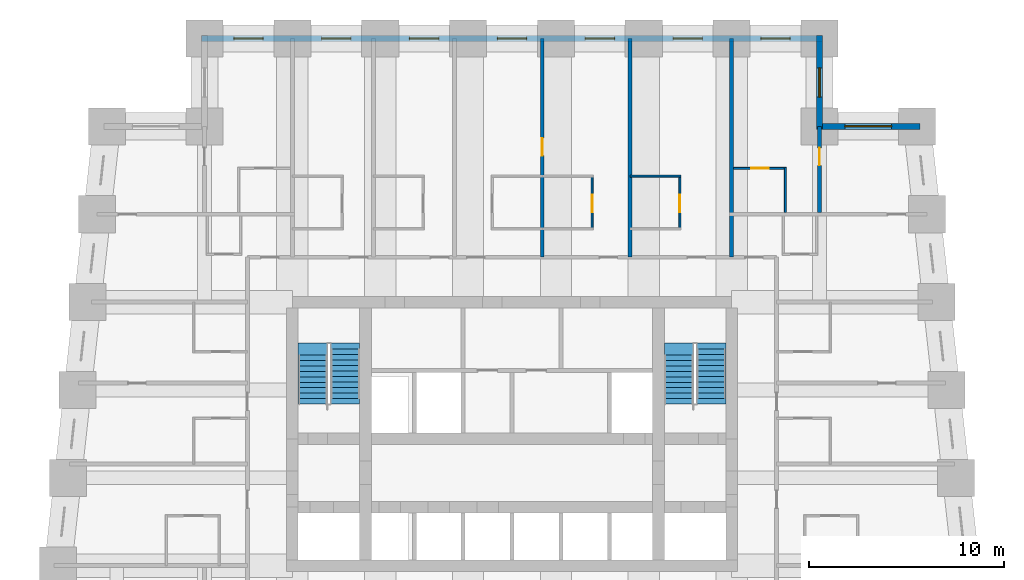
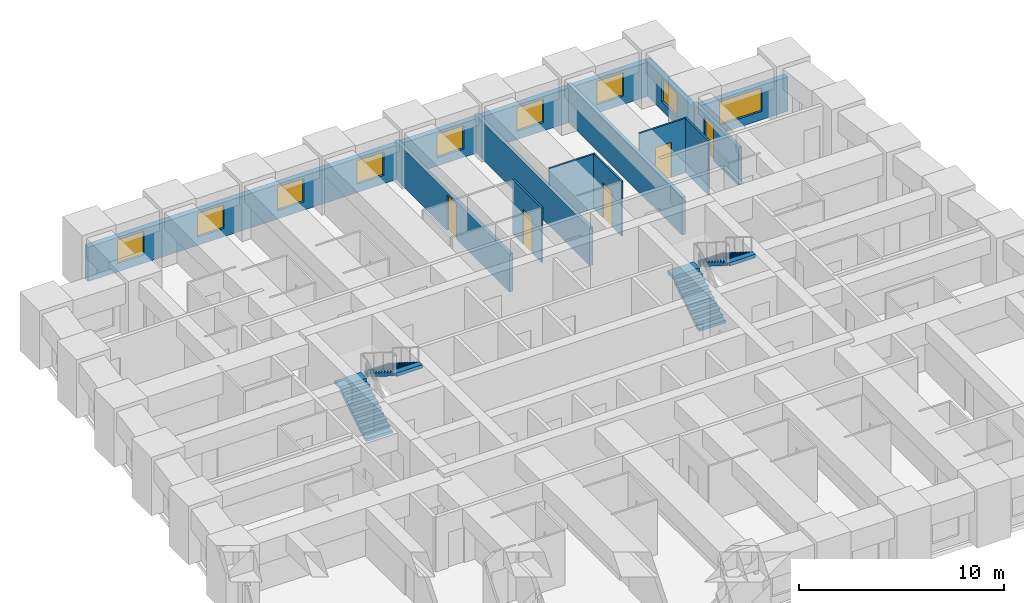
# One storey, part 7 of 8: 12 walls, 9 windows, 5 doors, 4 stair flights, 14 openings, 2 elements without a shape of their own.
"""IFC4 building model written with IfcOpenShell, lengths in metres."""

from ifc_helpers import new_model, si_unit, direction, frame, frame_2d, origin, place, context, subcontext, project, spatial, polyline, rectangle, outline, extrude, material, layer, layer_set, type_object, element, fill, aggregate, save


model = new_model("IFC4")

# Units and contexts
model_context = context("Model", 3, precision=1e-05, world=origin(), true_north=direction((0.0, 1.0)))
body_context = subcontext(model_context, "Body", "Model", "MODEL_VIEW")
ifc_project = project(units=[si_unit("LENGTHUNIT", "METRE"), si_unit("AREAUNIT", "SQUARE_METRE"), si_unit("VOLUMEUNIT", "CUBIC_METRE"), si_unit("PLANEANGLEUNIT", "RADIAN"), si_unit("MASSUNIT", "GRAM", prefix="KILO")], contexts=[model_context])

# Site, building, storey
site_placement = place(None, origin())
site = spatial("IfcSite", under=ifc_project, at=site_placement, CompositionType="ELEMENT")
building_placement = place(site_placement, origin())
building = spatial("IfcBuilding", under=site, at=building_placement, Name="Kilele Tower Hotel", CompositionType="ELEMENT")
storey_placement = place(building_placement, frame((0.0, 0.0, 43.699951171875)))
storey = spatial("IfcBuildingStorey", under=building, at=storey_placement, Name="L09", CompositionType="ELEMENT", Elevation=43.699951171875)

# Wall, opening, door
ifc_material_1 = material(Name="Moisture-resistant board")
ifc_layer_1 = layer(ifc_material_1, 0.10009765625)
ifc_layer_set_1 = layer_set([ifc_layer_1], Name="Moisture-resistant board")
wall_type_1 = type_object("IfcWallType", Name="Bathroom partition 100", PredefinedType="PLUMBINGWALL", material=ifc_layer_set_1)
wall_1_placement = place(storey_placement, frame((28.85009765625, 30.699951171875, 0.0), z_axis=(0.0, 0.0, 1.0), x_axis=(0.0, 1.0, 0.0)))
wall_1 = element("IfcWall", 1, at=wall_1_placement, inside=storey, type_object=wall_type_1, Name="Bathroom partition 100 L09", PredefinedType="PLUMBINGWALL", context=body_context, shape_type="SweptSolid", body=[
    extrude(rectangle(XDim=2.800048828125, YDim=0.10009765625, at=frame_2d((1.39990234375, 0.0))), origin(), (0.0, 0.0, 1.0), 3.25),
])
opening_1_placement = place(wall_1_placement, frame((1.7998046875, 0.0, 0.0), z_axis=(0.0, 0.0, 1.0), x_axis=(-1.0, 0.0, 0.0)))
opening_1 = element("IfcOpeningElement", 2, at=opening_1_placement, cuts=wall_1, Name="Opening D2A", PredefinedType="OPENING", context=body_context, shape_type="SweptSolid", body=[
    extrude(rectangle(XDim=0.89990234375, YDim=2.10009765625, at=frame_2d((0.449951171875, 1.050048828125))), frame((0.0, 0.06005859375, 0.0), z_axis=(0.0, -1.0, 0.0), x_axis=(1.0, 0.0, 0.0)), (0.0, 0.0, 1.0), 0.1201171875),
])
ifc_material_2 = material(Name="Timber door leaf in hardwood frame", Category="wood")
door_type_1 = type_object("IfcDoorType", Name="Bathroom door 900", OperationType="SINGLE_SWING_LEFT", PredefinedType="DOOR", material=ifc_material_2)
door_1_placement = place(opening_1_placement, origin())
door_1 = element("IfcDoor", 3, at=door_1_placement, inside=storey, type_object=door_type_1, Name="Bathroom door 0912B", OperationType="SINGLE_SWING_RIGHT", OverallHeight=2.10009765625, OverallWidth=0.89990234375, PredefinedType="DOOR", context=body_context, shape_type="SweptSolid", body=[
    extrude(rectangle(XDim=0.89990234375, YDim=2.10009765625, at=frame_2d((0.449951171875, 1.050048828125))), frame((0.0, 0.02490234375, 0.0), z_axis=(0.0, -1.0, 0.0), x_axis=(1.0, 0.0, 0.0)), (0.0, 0.0, 1.0), 0.050048828125),
])
fill(opening_1, door_1)

# Wall
wall_2_placement = place(storey_placement, frame((30.800048828125, 33.449951171875, 0.0), z_axis=(0.0, 0.0, 1.0), x_axis=(1.0, 0.0, 0.0)))
element("IfcWall", 4, at=wall_2_placement, inside=storey, type_object=wall_type_1, Name="Bathroom partition 100 L09", PredefinedType="PLUMBINGWALL", context=body_context, shape_type="SweptSolid", body=[
    extrude(rectangle(XDim=2.599853515625, YDim=0.10009765625, at=frame_2d((1.2998046875, 0.0))), origin(), (0.0, 0.0, 1.0), 3.25),
])

# Wall, opening, door
wall_3_placement = place(storey_placement, frame((33.35009765625, 30.699951171875, 0.0), z_axis=(0.0, 0.0, 1.0), x_axis=(0.0, 1.0, 0.0)))
wall_3 = element("IfcWall", 5, at=wall_3_placement, inside=storey, type_object=wall_type_1, Name="Bathroom partition 100 L09", PredefinedType="PLUMBINGWALL", context=body_context, shape_type="SweptSolid", body=[
    extrude(rectangle(XDim=2.800048828125, YDim=0.10009765625, at=frame_2d((1.39990234375, 0.0))), origin(), (0.0, 0.0, 1.0), 3.25),
])
opening_2_placement = place(wall_3_placement, frame((1.7998046875, 0.0, 0.0), z_axis=(0.0, 0.0, 1.0), x_axis=(-1.0, 0.0, 0.0)))
opening_2 = element("IfcOpeningElement", 6, at=opening_2_placement, cuts=wall_3, Name="Opening D2A", PredefinedType="OPENING", context=body_context, shape_type="SweptSolid", body=[
    extrude(rectangle(XDim=0.89990234375, YDim=2.10009765625, at=frame_2d((0.449951171875, 1.050048828125))), frame((0.0, 0.06005859375, 0.0), z_axis=(0.0, -1.0, 0.0), x_axis=(1.0, 0.0, 0.0)), (0.0, 0.0, 1.0), 0.1201171875),
])
door_2_placement = place(opening_2_placement, origin())
door_2 = element("IfcDoor", 7, at=door_2_placement, inside=storey, type_object=door_type_1, Name="Bathroom door 0913B", OperationType="SINGLE_SWING_RIGHT", OverallHeight=2.10009765625, OverallWidth=0.89990234375, PredefinedType="DOOR", context=body_context, shape_type="SweptSolid", body=[
    extrude(rectangle(XDim=0.89990234375, YDim=2.10009765625, at=frame_2d((0.449951171875, 1.050048828125))), frame((0.0, 0.02490234375, 0.0), z_axis=(0.0, -1.0, 0.0), x_axis=(1.0, 0.0, 0.0)), (0.0, 0.0, 1.0), 0.050048828125),
])
fill(opening_2, door_2)

# Wall
wall_4_placement = place(storey_placement, frame((38.75, 31.60009765625, 0.0), z_axis=(0.0, 0.0, 1.0), x_axis=(0.0, 1.0, 0.0)))
element("IfcWall", 8, at=wall_4_placement, inside=storey, type_object=wall_type_1, Name="Bathroom partition 100 L09", PredefinedType="PLUMBINGWALL", context=body_context, shape_type="SweptSolid", body=[
    extrude(rectangle(XDim=2.2998046875, YDim=0.10009765625, at=frame_2d((1.14990234375, 0.0))), origin(), (0.0, 0.0, 1.0), 3.25),
])

# Wall, opening, door
wall_5_placement = place(storey_placement, frame((36.10009765625, 33.85009765625, 0.0), z_axis=(0.0, 0.0, 1.0), x_axis=(1.0, 0.0, 0.0)))
wall_5 = element("IfcWall", 9, at=wall_5_placement, inside=storey, type_object=wall_type_1, Name="Bathroom partition 100 L09", PredefinedType="PLUMBINGWALL", context=body_context, shape_type="SweptSolid", body=[
    extrude(rectangle(XDim=2.699951171875, YDim=0.10009765625, at=frame_2d((1.35009765625, 0.0))), origin(), (0.0, 0.0, 1.0), 3.25),
])
opening_3_placement = place(wall_5_placement, frame((0.89990234375, 0.0, 0.0)))
opening_3 = element("IfcOpeningElement", 10, at=opening_3_placement, cuts=wall_5, Name="Opening D2A", PredefinedType="OPENING", context=body_context, shape_type="SweptSolid", body=[
    extrude(rectangle(XDim=0.89990234375, YDim=2.10009765625, at=frame_2d((0.449951171875, 1.050048828125))), frame((0.0, 0.06005859375, 0.0), z_axis=(0.0, -1.0, 0.0), x_axis=(1.0, 0.0, 0.0)), (0.0, 0.0, 1.0), 0.1201171875),
])
door_3_placement = place(opening_3_placement, origin())
door_3 = element("IfcDoor", 11, at=door_3_placement, inside=storey, type_object=door_type_1, Name="Bathroom door 0924B", OperationType="SINGLE_SWING_LEFT", OverallHeight=2.10009765625, OverallWidth=0.89990234375, PredefinedType="DOOR", context=body_context, shape_type="SweptSolid", body=[
    extrude(rectangle(XDim=0.89990234375, YDim=2.10009765625, at=frame_2d((0.449951171875, 1.050048828125))), frame((0.0, 0.02490234375, 0.0), z_axis=(0.0, -1.0, 0.0), x_axis=(1.0, 0.0, 0.0)), (0.0, 0.0, 1.0), 0.050048828125),
])
fill(opening_3, door_3)

ifc_material_3 = material(Name="Blockwork, plastered both sides", Category="masonry")
ifc_layer_2 = layer(ifc_material_3, 0.199951171875)
ifc_layer_set_2 = layer_set([ifc_layer_2], Name="Blockwork, plastered both sides")
wall_type_2 = type_object("IfcWallType", Name="Partition wall 200", PredefinedType="PARTITIONING", material=ifc_layer_set_2)
wall_6_placement = place(storey_placement, frame((40.5, 31.60009765625, 0.0), z_axis=(0.0, 0.0, 1.0), x_axis=(0.0, 1.0, 0.0)))
wall_6 = element("IfcWall", 12, at=wall_6_placement, inside=storey, type_object=wall_type_2, Name="Partition wall 200 L09", PredefinedType="PARTITIONING", context=body_context, shape_type="SweptSolid", body=[
    extrude(rectangle(XDim=4.39990234375, YDim=0.199951171875, at=frame_2d((2.199951171875, 0.0))), origin(), (0.0, 0.0, 1.0), 2.25),
])
opening_4_placement = place(wall_6_placement, frame((2.39990234375, 0.0, 0.0)))
opening_4 = element("IfcOpeningElement", 13, at=opening_4_placement, cuts=wall_6, Name="Opening D3", PredefinedType="OPENING", context=body_context, shape_type="SweptSolid", body=[
    extrude(rectangle(XDim=0.89990234375, YDim=2.10009765625, at=frame_2d((0.449951171875, 1.050048828125))), frame((0.0, 0.10986328125, 0.0), z_axis=(0.0, -1.0, 0.0), x_axis=(1.0, 0.0, 0.0)), (0.0, 0.0, 1.0), 0.219970703125),
])
ifc_material_4 = material(Name="Timber door leaf in hardwood frame", Category="wood")
door_type_2 = type_object("IfcDoorType", Name="Suite internal door 900", OperationType="SINGLE_SWING_LEFT", PredefinedType="DOOR", material=ifc_material_4)
door_4_placement = place(opening_4_placement, origin())
door_4 = element("IfcDoor", 14, at=door_4_placement, inside=storey, type_object=door_type_2, Name="Suite door 0925", OperationType="SINGLE_SWING_RIGHT", OverallHeight=2.10009765625, OverallWidth=0.89990234375, PredefinedType="DOOR", context=body_context, shape_type="SweptSolid", body=[
    extrude(rectangle(XDim=0.89990234375, YDim=2.10009765625, at=frame_2d((0.449951171875, 1.050048828125))), frame((0.0, 0.02490234375, 0.0), z_axis=(0.0, -1.0, 0.0), x_axis=(1.0, 0.0, 0.0)), (0.0, 0.0, 1.0), 0.050048828125),
])
fill(opening_4, door_4)

ifc_material_5 = material(Name="Blockwork, plastered both sides", Category="masonry")
ifc_layer_3 = layer(ifc_material_5, 0.199951171875)
ifc_layer_set_3 = layer_set([ifc_layer_3], Name="Blockwork, plastered both sides")
wall_type_3 = type_object("IfcWallType", Name="Party wall 200", PredefinedType="PARTITIONING", material=ifc_layer_set_3)
wall_7_placement = place(storey_placement, frame((26.300048828125, 29.300048828125, 0.0), z_axis=(0.0, 0.0, 1.0), x_axis=(0.0, 1.0, 0.0)))
wall_7 = element("IfcWall", 15, at=wall_7_placement, inside=storey, type_object=wall_type_3, Name="Party wall 200 L09", PredefinedType="PARTITIONING", context=body_context, shape_type="SweptSolid", body=[
    extrude(rectangle(XDim=11.199951171875, YDim=0.199951171875, at=frame_2d((5.60009765625, 0.0))), origin(), (0.0, 0.0, 1.0), 2.25),
])
opening_5_placement = place(wall_7_placement, frame((5.199951171875, 0.0, 0.0)))
opening_5 = element("IfcOpeningElement", 16, at=opening_5_placement, cuts=wall_7, Name="Opening D3C", PredefinedType="OPENING", context=body_context, shape_type="SweptSolid", body=[
    extrude(rectangle(XDim=0.89990234375, YDim=2.10009765625, at=frame_2d((0.449951171875, 1.050048828125))), frame((0.0, 0.10986328125, 0.0), z_axis=(0.0, -1.0, 0.0), x_axis=(1.0, 0.0, 0.0)), (0.0, 0.0, 1.0), 0.219970703125),
])
ifc_material_6 = material(Name="Timber door leaf in hardwood frame", Category="wood")
door_type_3 = type_object("IfcDoorType", Name="Connecting door 900", OperationType="SINGLE_SWING_LEFT", PredefinedType="DOOR", material=ifc_material_6)
door_5_placement = place(opening_5_placement, origin())
door_5 = element("IfcDoor", 17, at=door_5_placement, inside=storey, type_object=door_type_3, Name="Connecting door 0912", OperationType="SINGLE_SWING_LEFT", OverallHeight=2.10009765625, OverallWidth=0.89990234375, PredefinedType="DOOR", context=body_context, shape_type="SweptSolid", body=[
    extrude(rectangle(XDim=0.89990234375, YDim=2.10009765625, at=frame_2d((0.449951171875, 1.050048828125))), frame((0.0, 0.02490234375, 0.0), z_axis=(0.0, -1.0, 0.0), x_axis=(1.0, 0.0, 0.0)), (0.0, 0.0, 1.0), 0.050048828125),
])
fill(opening_5, door_5)

# Walls
for number, where, z_axis, x_axis, name in (
    (18, (30.800048828125, 29.300048828125, 0.0), (0.0, 0.0, 1.0), (0.0, 1.0, 0.0), "Party wall 200 L09"),
    (19, (36.0, 29.300048828125, 0.0), (0.0, 0.0, 1.0), (0.0, 1.0, 0.0), "Party wall 200 L09"),
):
    element("IfcWall", number, at=place(storey_placement, frame(where, z_axis=z_axis, x_axis=x_axis)), inside=storey, type_object=wall_type_3, Name=name, PredefinedType="PARTITIONING", context=body_context, shape_type="SweptSolid", body=[
        extrude(rectangle(XDim=11.199951171875, YDim=0.199951171875, at=frame_2d((5.60009765625, 0.0))), origin(), (0.0, 0.0, 1.0), 2.25),
    ])

# Wall, opening, window
ifc_material_7 = material(Name="Concrete C40/50 precast", Category="concrete")
ifc_layer_4 = layer(ifc_material_7, 0.260009765625, Name="Precast backing", Category="LoadBearing")
ifc_material_8 = material(Name="Reconstituted stone finish", Category="masonry")
ifc_layer_5 = layer(ifc_material_8, 0.0400390625, Name="Face mix", Category="Finish")
ifc_layer_set_4 = layer_set([ifc_layer_4, ifc_layer_5], Name="Precast concrete C40/50, reconstituted stone finish")
wall_type_4 = type_object("IfcWallType", Name="Precast stone facade wall 300", PredefinedType="STANDARD", material=ifc_layer_set_4)
wall_8_placement = place(storey_placement, frame((45.64990234375, 36.0, 0.0), z_axis=(0.0, 0.0, 1.0), x_axis=(-1.0, 0.0, 0.0)))
wall_8 = element("IfcWall", 20, at=wall_8_placement, inside=storey, type_object=wall_type_4, Name="Facade wall L09 edge 7", PredefinedType="STANDARD", context=body_context, shape_type="SweptSolid", body=[
    extrude(rectangle(XDim=5.2998046875, YDim=0.300048828125, at=frame_2d((2.64990234375, 0.0))), origin(), (0.0, 0.0, 1.0), 2.050048828125),
])
opening_6_placement = place(wall_8_placement, frame((1.449951171875, 0.0, 0.5)))
opening_6 = element("IfcOpeningElement", 21, at=opening_6_placement, cuts=wall_8, Name="Opening W1", PredefinedType="OPENING", context=body_context, shape_type="SweptSolid", body=[
    extrude(rectangle(XDim=2.39990234375, YDim=1.39990234375, at=frame_2d((1.199951171875, 0.699951171875))), frame((0.0, 0.159912109375, 0.0), z_axis=(0.0, -1.0, 0.0), x_axis=(1.0, 0.0, 0.0)), (0.0, 0.0, 1.0), 0.320068359375),
])
ifc_material_9 = material(Name="Aluminium frame, clear double glazing", Category="aluminium")
window_type_1 = type_object("IfcWindowType", Name="Window W1 2400 x 1400", PartitioningType="SINGLE_PANEL", PredefinedType="WINDOW", material=ifc_material_9)
window_1_placement = place(opening_6_placement, origin())
window_1 = element("IfcWindow", 22, at=window_1_placement, inside=storey, type_object=window_type_1, Name="Window L09", OverallHeight=1.39990234375, OverallWidth=2.39990234375, PartitioningType="SINGLE_PANEL", PredefinedType="WINDOW", context=body_context, shape_type="SweptSolid", body=[
    extrude(rectangle(XDim=2.39990234375, YDim=1.39990234375, at=frame_2d((1.199951171875, 0.699951171875))), frame((0.0, 0.030029296875, 0.0), z_axis=(0.0, -1.0, 0.0), x_axis=(1.0, 0.0, 0.0)), (0.0, 0.0, 1.0), 0.06005859375),
])
fill(opening_6, window_1)

wall_9_placement = place(storey_placement, frame((40.5, 35.85009765625, 0.0), z_axis=(0.0, 0.0, 1.0), x_axis=(0.0, 1.0, 0.0)))
wall_9 = element("IfcWall", 23, at=wall_9_placement, inside=storey, type_object=wall_type_4, Name="Facade wall L09 edge 8", PredefinedType="STANDARD", context=body_context, shape_type="SweptSolid", body=[
    extrude(rectangle(XDim=4.7998046875, YDim=0.300048828125, at=frame_2d((2.39990234375, 0.0))), origin(), (0.0, 0.0, 1.0), 2.050048828125),
])
opening_7_placement = place(wall_9_placement, frame((1.64990234375, 0.0, 0.5)))
opening_7 = element("IfcOpeningElement", 24, at=opening_7_placement, cuts=wall_9, Name="Opening W1", PredefinedType="OPENING", context=body_context, shape_type="SweptSolid", body=[
    extrude(rectangle(XDim=1.5, YDim=1.39990234375, at=frame_2d((0.75, 0.699951171875))), frame((0.0, 0.159912109375, 0.0), z_axis=(0.0, -1.0, 0.0), x_axis=(1.0, 0.0, 0.0)), (0.0, 0.0, 1.0), 0.320068359375),
])
ifc_material_10 = material(Name="Aluminium frame, clear double glazing", Category="aluminium")
window_type_2 = type_object("IfcWindowType", Name="Window W1 1500 x 1400", PartitioningType="SINGLE_PANEL", PredefinedType="WINDOW", material=ifc_material_10)
window_2_placement = place(opening_7_placement, origin())
window_2 = element("IfcWindow", 25, at=window_2_placement, inside=storey, type_object=window_type_2, Name="Window L09", OverallHeight=1.39990234375, OverallWidth=1.5, PartitioningType="SINGLE_PANEL", PredefinedType="WINDOW", context=body_context, shape_type="SweptSolid", body=[
    extrude(rectangle(XDim=1.5, YDim=1.39990234375, at=frame_2d((0.75, 0.699951171875))), frame((0.0, 0.030029296875, 0.0), z_axis=(0.0, -1.0, 0.0), x_axis=(1.0, 0.0, 0.0)), (0.0, 0.0, 1.0), 0.06005859375),
])
fill(opening_7, window_2)

# Wall, openings, windows
wall_10_placement = place(storey_placement, frame((40.64990234375, 40.5, 0.0), z_axis=(0.0, 0.0, 1.0), x_axis=(-1.0, 0.0, 0.0)))
wall_10 = element("IfcWall", 26, at=wall_10_placement, inside=storey, type_object=wall_type_4, Name="Facade wall L09 edge 9", PredefinedType="STANDARD", context=body_context, shape_type="SweptSolid", body=[
    extrude(rectangle(XDim=31.7998046875, YDim=0.300048828125, at=frame_2d((15.89990234375, 0.0))), origin(), (0.0, 0.0, 1.0), 2.050048828125),
])
opening_8_placement = place(wall_10_placement, frame((1.64990234375, 0.0, 0.5)))
opening_8 = element("IfcOpeningElement", 27, at=opening_8_placement, cuts=wall_10, Name="Opening W1", PredefinedType="OPENING", context=body_context, shape_type="SweptSolid", body=[
    extrude(rectangle(XDim=1.5, YDim=1.39990234375, at=frame_2d((0.75, 0.699951171875))), frame((0.0, 0.159912109375, 0.0), z_axis=(0.0, -1.0, 0.0), x_axis=(1.0, 0.0, 0.0)), (0.0, 0.0, 1.0), 0.320068359375),
])
opening_9_placement = place(wall_10_placement, frame((6.14990234375, 0.0, 0.5)))
opening_9 = element("IfcOpeningElement", 28, at=opening_9_placement, cuts=wall_10, Name="Opening W1", PredefinedType="OPENING", context=body_context, shape_type="SweptSolid", body=[
    extrude(rectangle(XDim=1.5, YDim=1.39990234375, at=frame_2d((0.75, 0.699951171875))), frame((0.0, 0.159912109375, 0.0), z_axis=(0.0, -1.0, 0.0), x_axis=(1.0, 0.0, 0.0)), (0.0, 0.0, 1.0), 0.320068359375),
])
opening_10_placement = place(wall_10_placement, frame((10.64990234375, 0.0, 0.5)))
opening_10 = element("IfcOpeningElement", 29, at=opening_10_placement, cuts=wall_10, Name="Opening W1", PredefinedType="OPENING", context=body_context, shape_type="SweptSolid", body=[
    extrude(rectangle(XDim=1.5, YDim=1.39990234375, at=frame_2d((0.75, 0.699951171875))), frame((0.0, 0.159912109375, 0.0), z_axis=(0.0, -1.0, 0.0), x_axis=(1.0, 0.0, 0.0)), (0.0, 0.0, 1.0), 0.320068359375),
])
opening_11_placement = place(wall_10_placement, frame((15.14990234375, 0.0, 0.5)))
opening_11 = element("IfcOpeningElement", 30, at=opening_11_placement, cuts=wall_10, Name="Opening W1", PredefinedType="OPENING", context=body_context, shape_type="SweptSolid", body=[
    extrude(rectangle(XDim=1.5, YDim=1.39990234375, at=frame_2d((0.75, 0.699951171875))), frame((0.0, 0.159912109375, 0.0), z_axis=(0.0, -1.0, 0.0), x_axis=(1.0, 0.0, 0.0)), (0.0, 0.0, 1.0), 0.320068359375),
])
opening_12_placement = place(wall_10_placement, frame((19.64990234375, 0.0, 0.5)))
opening_12 = element("IfcOpeningElement", 31, at=opening_12_placement, cuts=wall_10, Name="Opening W1", PredefinedType="OPENING", context=body_context, shape_type="SweptSolid", body=[
    extrude(rectangle(XDim=1.5, YDim=1.39990234375, at=frame_2d((0.75, 0.699951171875))), frame((0.0, 0.159912109375, 0.0), z_axis=(0.0, -1.0, 0.0), x_axis=(1.0, 0.0, 0.0)), (0.0, 0.0, 1.0), 0.320068359375),
])
opening_13_placement = place(wall_10_placement, frame((24.14990234375, 0.0, 0.5)))
opening_13 = element("IfcOpeningElement", 32, at=opening_13_placement, cuts=wall_10, Name="Opening W1", PredefinedType="OPENING", context=body_context, shape_type="SweptSolid", body=[
    extrude(rectangle(XDim=1.5, YDim=1.39990234375, at=frame_2d((0.75, 0.699951171875))), frame((0.0, 0.159912109375, 0.0), z_axis=(0.0, -1.0, 0.0), x_axis=(1.0, 0.0, 0.0)), (0.0, 0.0, 1.0), 0.320068359375),
])
opening_14_placement = place(wall_10_placement, frame((28.64990234375, 0.0, 0.5)))
opening_14 = element("IfcOpeningElement", 33, at=opening_14_placement, cuts=wall_10, Name="Opening W1", PredefinedType="OPENING", context=body_context, shape_type="SweptSolid", body=[
    extrude(rectangle(XDim=1.5, YDim=1.39990234375, at=frame_2d((0.75, 0.699951171875))), frame((0.0, 0.159912109375, 0.0), z_axis=(0.0, -1.0, 0.0), x_axis=(1.0, 0.0, 0.0)), (0.0, 0.0, 1.0), 0.320068359375),
])
window_3_placement = place(opening_8_placement, origin())
window_3 = element("IfcWindow", 34, at=window_3_placement, inside=storey, type_object=window_type_2, Name="Window L09", OverallHeight=1.39990234375, OverallWidth=1.5, PartitioningType="SINGLE_PANEL", PredefinedType="WINDOW", context=body_context, shape_type="SweptSolid", body=[
    extrude(rectangle(XDim=1.5, YDim=1.39990234375, at=frame_2d((0.75, 0.699951171875))), frame((0.0, 0.030029296875, 0.0), z_axis=(0.0, -1.0, 0.0), x_axis=(1.0, 0.0, 0.0)), (0.0, 0.0, 1.0), 0.06005859375),
])
fill(opening_8, window_3)
window_4_placement = place(opening_9_placement, origin())
window_4 = element("IfcWindow", 35, at=window_4_placement, inside=storey, type_object=window_type_2, Name="Window L09", OverallHeight=1.39990234375, OverallWidth=1.5, PartitioningType="SINGLE_PANEL", PredefinedType="WINDOW", context=body_context, shape_type="SweptSolid", body=[
    extrude(rectangle(XDim=1.5, YDim=1.39990234375, at=frame_2d((0.75, 0.699951171875))), frame((0.0, 0.030029296875, 0.0), z_axis=(0.0, -1.0, 0.0), x_axis=(1.0, 0.0, 0.0)), (0.0, 0.0, 1.0), 0.06005859375),
])
fill(opening_9, window_4)
window_5_placement = place(opening_10_placement, origin())
window_5 = element("IfcWindow", 36, at=window_5_placement, inside=storey, type_object=window_type_2, Name="Window L09", OverallHeight=1.39990234375, OverallWidth=1.5, PartitioningType="SINGLE_PANEL", PredefinedType="WINDOW", context=body_context, shape_type="SweptSolid", body=[
    extrude(rectangle(XDim=1.5, YDim=1.39990234375, at=frame_2d((0.75, 0.699951171875))), frame((0.0, 0.030029296875, 0.0), z_axis=(0.0, -1.0, 0.0), x_axis=(1.0, 0.0, 0.0)), (0.0, 0.0, 1.0), 0.06005859375),
])
fill(opening_10, window_5)
window_6_placement = place(opening_11_placement, origin())
window_6 = element("IfcWindow", 37, at=window_6_placement, inside=storey, type_object=window_type_2, Name="Window L09", OverallHeight=1.39990234375, OverallWidth=1.5, PartitioningType="SINGLE_PANEL", PredefinedType="WINDOW", context=body_context, shape_type="SweptSolid", body=[
    extrude(rectangle(XDim=1.5, YDim=1.39990234375, at=frame_2d((0.75, 0.699951171875))), frame((0.0, 0.030029296875, 0.0), z_axis=(0.0, -1.0, 0.0), x_axis=(1.0, 0.0, 0.0)), (0.0, 0.0, 1.0), 0.06005859375),
])
fill(opening_11, window_6)
window_7_placement = place(opening_12_placement, origin())
window_7 = element("IfcWindow", 38, at=window_7_placement, inside=storey, type_object=window_type_2, Name="Window L09", OverallHeight=1.39990234375, OverallWidth=1.5, PartitioningType="SINGLE_PANEL", PredefinedType="WINDOW", context=body_context, shape_type="SweptSolid", body=[
    extrude(rectangle(XDim=1.5, YDim=1.39990234375, at=frame_2d((0.75, 0.699951171875))), frame((0.0, 0.030029296875, 0.0), z_axis=(0.0, -1.0, 0.0), x_axis=(1.0, 0.0, 0.0)), (0.0, 0.0, 1.0), 0.06005859375),
])
fill(opening_12, window_7)
window_8_placement = place(opening_13_placement, origin())
window_8 = element("IfcWindow", 39, at=window_8_placement, inside=storey, type_object=window_type_2, Name="Window L09", OverallHeight=1.39990234375, OverallWidth=1.5, PartitioningType="SINGLE_PANEL", PredefinedType="WINDOW", context=body_context, shape_type="SweptSolid", body=[
    extrude(rectangle(XDim=1.5, YDim=1.39990234375, at=frame_2d((0.75, 0.699951171875))), frame((0.0, 0.030029296875, 0.0), z_axis=(0.0, -1.0, 0.0), x_axis=(1.0, 0.0, 0.0)), (0.0, 0.0, 1.0), 0.06005859375),
])
fill(opening_13, window_8)
window_9_placement = place(opening_14_placement, origin())
window_9 = element("IfcWindow", 40, at=window_9_placement, inside=storey, type_object=window_type_2, Name="Window L09", OverallHeight=1.39990234375, OverallWidth=1.5, PartitioningType="SINGLE_PANEL", PredefinedType="WINDOW", context=body_context, shape_type="SweptSolid", body=[
    extrude(rectangle(XDim=1.5, YDim=1.39990234375, at=frame_2d((0.75, 0.699951171875))), frame((0.0, 0.030029296875, 0.0), z_axis=(0.0, -1.0, 0.0), x_axis=(1.0, 0.0, 0.0)), (0.0, 0.0, 1.0), 0.06005859375),
])
fill(opening_14, window_9)

# Stair, stair flights
ifc_material_11 = material(Name="Precast concrete C40/50", Category="concrete")
stair_type = type_object("IfcStairType", Name="Stair 1475 x 3500", PredefinedType="HALF_TURN_STAIR", material=ifc_material_11)
stair_1_placement = place(storey_placement, origin())
stair_1 = element("IfcStair", 41, at=stair_1_placement, inside=storey, type_object=stair_type, Name="Stair 1 L09", PredefinedType="HALF_TURN_STAIR")
ifc_material_12 = material(Name="Precast concrete C40/50", Category="concrete")
stair_flight_type = type_object("IfcStairFlightType", Name="Flight 1475 riser 175.0", PredefinedType="STRAIGHT", material=ifc_material_12)
stair_flight_1_placement = place(storey_placement, frame((14.53759765625, 21.77490234375, 0.0), z_axis=(0.0, 0.0, 1.0), x_axis=(0.0, 1.0, 0.0)))
stair_flight_1 = element("IfcStairFlight", 42, at=stair_flight_1_placement, type_object=stair_flight_type, Name="ST1 flight 1", NumberOfRisers=10, NumberOfTreads=9, PredefinedType="STRAIGHT", RiserHeight=0.175, TreadLength=0.28, context=body_context, shape_type="SweptSolid", body=[
    extrude(outline(polyline([(0.0, 0.0), (0.0, 0.175048828125), (0.280029296875, 0.175048828125), (0.280029296875, 0.35009765625), (0.56005859375, 0.35009765625), (0.56005859375, 0.52490234375), (0.840087890625, 0.52490234375), (0.840087890625, 0.699951171875), (1.1201171875, 0.699951171875), (1.1201171875, 0.875), (1.39990234375, 0.875), (1.39990234375, 1.050048828125), (1.679931640625, 1.050048828125), (1.679931640625, 1.22509765625), (1.9599609375, 1.22509765625), (1.9599609375, 1.39990234375), (2.239990234375, 1.39990234375), (2.239990234375, 1.574951171875), (2.52001953125, 1.574951171875), (2.52001953125, 1.75), (2.52001953125, 1.398193359375), (0.28271484375, 0.0), (0.0, 0.0)])), frame((0.0, 0.737548828125, 0.0), z_axis=(0.0, -1.0, 0.0), x_axis=(1.0, 0.0, 0.0)), (0.0, 0.0, 1.0), 1.47509765625),
    extrude(outline(polyline([(2.52001953125, 0.737548828125), (2.52001953125, -0.7373046875), (3.1201171875, -0.7373046875), (3.1201171875, 0.737548828125), (2.52001953125, 0.737548828125)])), frame((0.0, 0.0, 1.550048828125)), (0.0, 0.0, 1.0), 0.199951171875),
])
stair_flight_2_placement = place(storey_placement, frame((16.21240234375, 24.594970703125, 1.75), z_axis=(0.0, 0.0, 1.0), x_axis=(0.0, -1.0, 0.0)))
stair_flight_2 = element("IfcStairFlight", 43, at=stair_flight_2_placement, type_object=stair_flight_type, Name="ST1 flight 2", NumberOfRisers=10, NumberOfTreads=9, PredefinedType="STRAIGHT", RiserHeight=0.175, TreadLength=0.28, context=body_context, shape_type="SweptSolid", body=[
    extrude(outline(polyline([(0.0, 0.0), (0.0, 0.175048828125), (0.280029296875, 0.175048828125), (0.280029296875, 0.35009765625), (0.56005859375, 0.35009765625), (0.56005859375, 0.52490234375), (0.840087890625, 0.52490234375), (0.840087890625, 0.699951171875), (1.1201171875, 0.699951171875), (1.1201171875, 0.875), (1.39990234375, 0.875), (1.39990234375, 1.050048828125), (1.679931640625, 1.050048828125), (1.679931640625, 1.22509765625), (1.9599609375, 1.22509765625), (1.9599609375, 1.39990234375), (2.239990234375, 1.39990234375), (2.239990234375, 1.574951171875), (2.52001953125, 1.574951171875), (2.52001953125, 1.75), (2.52001953125, 1.398193359375), (0.28271484375, 0.0), (0.0, 0.0)])), frame((0.0, 0.737548828125, 0.0), z_axis=(0.0, -1.0, 0.0), x_axis=(1.0, 0.0, 0.0)), (0.0, 0.0, 1.0), 1.47509765625),
    extrude(outline(polyline([(0.0, -0.7373046875), (0.0, 0.737548828125), (-0.300048828125, 0.737548828125), (-0.300048828125, -0.7373046875), (0.0, -0.7373046875)])), frame((0.0, 0.0, -0.199951171875)), (0.0, 0.0, 1.0), 0.199951171875),
    extrude(outline(polyline([(2.820068359375, -0.7373046875), (2.820068359375, 0.737548828125), (2.52001953125, 0.737548828125), (2.52001953125, -0.7373046875), (2.820068359375, -0.7373046875)])), frame((0.0, 0.0, 1.550048828125)), (0.0, 0.0, 1.0), 0.199951171875),
])
aggregate(stair_1, [stair_flight_1, stair_flight_2])

stair_2_placement = place(storey_placement, origin())
stair_2 = element("IfcStair", 44, at=stair_2_placement, inside=storey, type_object=stair_type, Name="Stair 2 L09", PredefinedType="HALF_TURN_STAIR")
stair_flight_3_placement = place(storey_placement, frame((33.28759765625, 21.77490234375, 0.0), z_axis=(0.0, 0.0, 1.0), x_axis=(0.0, 1.0, 0.0)))
stair_flight_3 = element("IfcStairFlight", 45, at=stair_flight_3_placement, type_object=stair_flight_type, Name="ST2 flight 1", NumberOfRisers=10, NumberOfTreads=9, PredefinedType="STRAIGHT", RiserHeight=0.175, TreadLength=0.28, context=body_context, shape_type="SweptSolid", body=[
    extrude(outline(polyline([(0.0, 0.0), (0.0, 0.175048828125), (0.280029296875, 0.175048828125), (0.280029296875, 0.35009765625), (0.56005859375, 0.35009765625), (0.56005859375, 0.52490234375), (0.840087890625, 0.52490234375), (0.840087890625, 0.699951171875), (1.1201171875, 0.699951171875), (1.1201171875, 0.875), (1.39990234375, 0.875), (1.39990234375, 1.050048828125), (1.679931640625, 1.050048828125), (1.679931640625, 1.22509765625), (1.9599609375, 1.22509765625), (1.9599609375, 1.39990234375), (2.239990234375, 1.39990234375), (2.239990234375, 1.574951171875), (2.52001953125, 1.574951171875), (2.52001953125, 1.75), (2.52001953125, 1.398193359375), (0.28271484375, 0.0), (0.0, 0.0)])), frame((0.0, 0.737548828125, 0.0), z_axis=(0.0, -1.0, 0.0), x_axis=(1.0, 0.0, 0.0)), (0.0, 0.0, 1.0), 1.47509765625),
    extrude(outline(polyline([(2.52001953125, 0.737548828125), (2.52001953125, -0.7373046875), (3.1201171875, -0.7373046875), (3.1201171875, 0.737548828125), (2.52001953125, 0.737548828125)])), frame((0.0, 0.0, 1.550048828125)), (0.0, 0.0, 1.0), 0.199951171875),
])
stair_flight_4_placement = place(storey_placement, frame((34.96240234375, 24.594970703125, 1.75), z_axis=(0.0, 0.0, 1.0), x_axis=(0.0, -1.0, 0.0)))
stair_flight_4 = element("IfcStairFlight", 46, at=stair_flight_4_placement, type_object=stair_flight_type, Name="ST2 flight 2", NumberOfRisers=10, NumberOfTreads=9, PredefinedType="STRAIGHT", RiserHeight=0.175, TreadLength=0.28, context=body_context, shape_type="SweptSolid", body=[
    extrude(outline(polyline([(0.0, 0.0), (0.0, 0.175048828125), (0.280029296875, 0.175048828125), (0.280029296875, 0.35009765625), (0.56005859375, 0.35009765625), (0.56005859375, 0.52490234375), (0.840087890625, 0.52490234375), (0.840087890625, 0.699951171875), (1.1201171875, 0.699951171875), (1.1201171875, 0.875), (1.39990234375, 0.875), (1.39990234375, 1.050048828125), (1.679931640625, 1.050048828125), (1.679931640625, 1.22509765625), (1.9599609375, 1.22509765625), (1.9599609375, 1.39990234375), (2.239990234375, 1.39990234375), (2.239990234375, 1.574951171875), (2.52001953125, 1.574951171875), (2.52001953125, 1.75), (2.52001953125, 1.398193359375), (0.28271484375, 0.0), (0.0, 0.0)])), frame((0.0, 0.737548828125, 0.0), z_axis=(0.0, -1.0, 0.0), x_axis=(1.0, 0.0, 0.0)), (0.0, 0.0, 1.0), 1.47509765625),
    extrude(outline(polyline([(0.0, -0.7373046875), (0.0, 0.737548828125), (-0.300048828125, 0.737548828125), (-0.300048828125, -0.7373046875), (0.0, -0.7373046875)])), frame((0.0, 0.0, -0.199951171875)), (0.0, 0.0, 1.0), 0.199951171875),
    extrude(outline(polyline([(2.820068359375, -0.7373046875), (2.820068359375, 0.737548828125), (2.52001953125, 0.737548828125), (2.52001953125, -0.7373046875), (2.820068359375, -0.7373046875)])), frame((0.0, 0.0, 1.550048828125)), (0.0, 0.0, 1.0), 0.199951171875),
])
aggregate(stair_2, [stair_flight_3, stair_flight_4])

save(model, "model.ifc")
